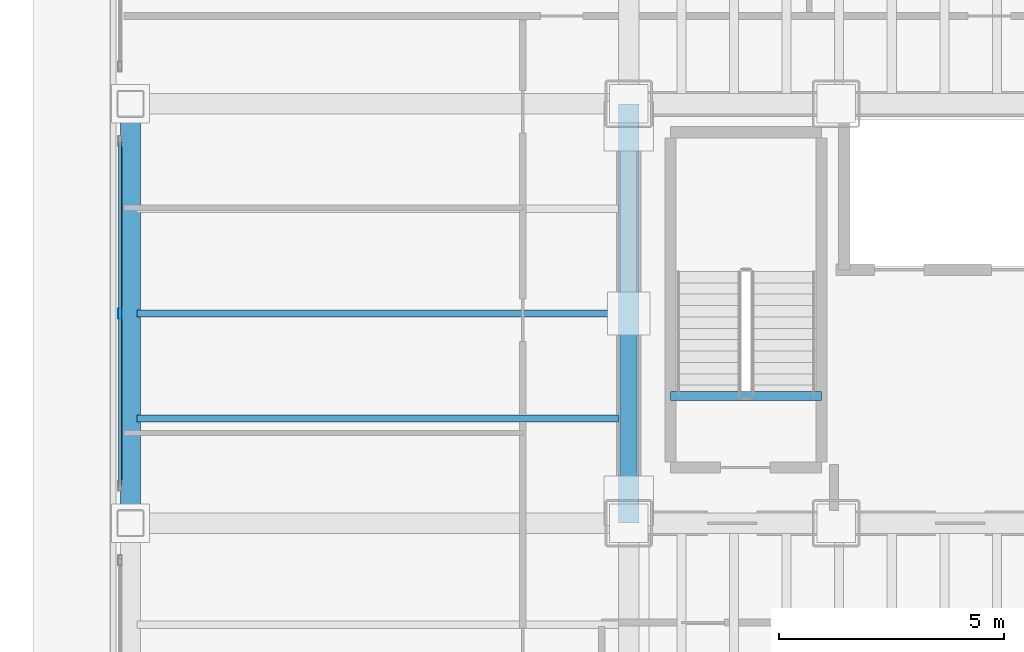
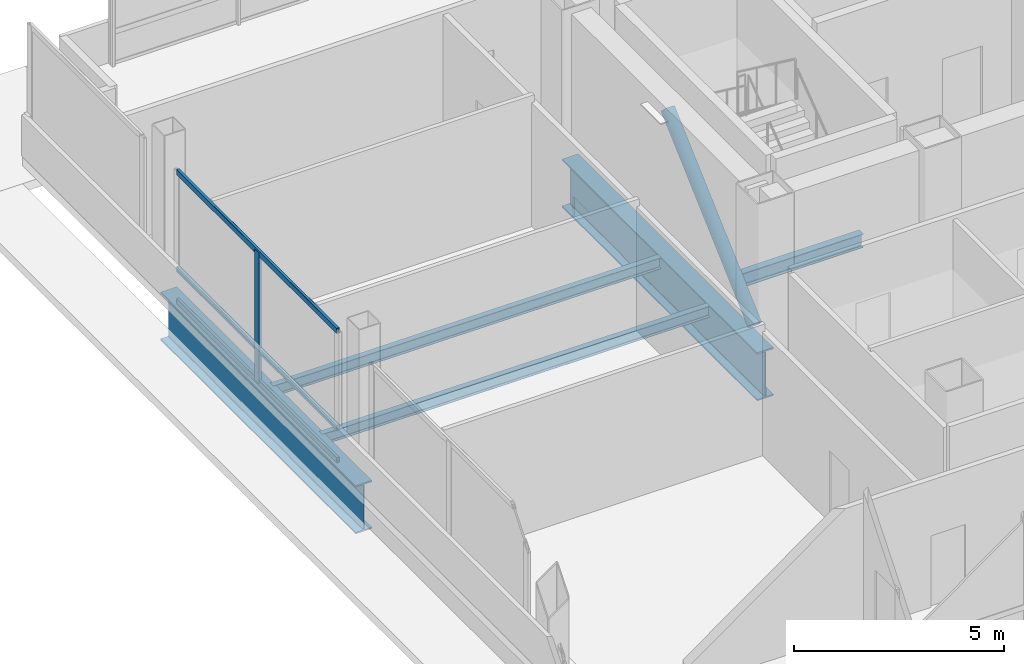
# One storey, part 9 of 34: 5 beams, 5 members, 1 element without a shape of its own.
"""IFC4 building model written with IfcOpenShell, lengths in metres."""

import ifcopenshell
import ifcopenshell.guid

model = None  # the IFC model being written
_history = None  # IfcOwnerHistory: only IFC2X3 demands one
_inside = {}  # id of a spatial element -> (the spatial element, [elements in it])
_under = {}  # id of a project, library or spatial element -> (it, [spatial elements below it])
_declared = {}  # id of a project -> (the project, [libraries it declares])
_typed = {}  # id of a type object -> (the type object, [elements of that type])
_made_of = {}  # id of a material, layer set ... -> (it, [elements and type objects made of it])


def new_model(schema):
    """Start an empty IFC model of exactly this schema.

    Asked for "IFC4X3", IfcOpenShell would pick the latest addendum, in which some entities
    have other attributes; the version numbers below select the first issue.
    IFC2X3 requires an IfcOwnerHistory on every rooted entity: one is made here for all.
    """
    global model, _history
    if schema == "IFC4X3":
        model = ifcopenshell.file(schema_version=(4, 3, 0, 0))
    else:
        model = ifcopenshell.file(schema=schema)
    _inside.clear()
    _under.clear()
    _declared.clear()
    _typed.clear()
    _made_of.clear()
    _history = None
    if model.schema == "IFC2X3":
        org = make("IfcOrganization", Name="unknown")
        user = make(
            "IfcPersonAndOrganization",
            ThePerson=make("IfcPerson", FamilyName="unknown"),
            TheOrganization=org,
        )
        app = make(
            "IfcApplication",
            ApplicationDeveloper=org,
            Version="unknown",
            ApplicationFullName="unknown",
            ApplicationIdentifier="unknown",
        )
        _history = make(
            "IfcOwnerHistory",
            OwningUser=user,
            OwningApplication=app,
            ChangeAction="ADDED",
            CreationDate=0,
        )
    return model


def make(cls, **values):
    """One entity of the class cls with the attributes given. An attribute that is None is left unset."""
    return model.create_entity(
        cls, **{name: value for name, value in values.items() if value is not None}
    )


def rooted(cls, **values):
    """An entity with a GlobalId (a new one), such as an element, a storey or a relation."""
    return make(cls, GlobalId=ifcopenshell.guid.new(), OwnerHistory=_history, **values)


def si_unit(unit_type, name, prefix=None):
    """IfcSIUnit, for example si_unit("LENGTHUNIT", "METRE", prefix="MILLI")."""
    return make("IfcSIUnit", UnitType=unit_type, Prefix=prefix, Name=name)


def assignment(units):
    """IfcUnitAssignment: the units of a project."""
    return None if units is None else make("IfcUnitAssignment", Units=units)


def point(xyz):
    """IfcCartesianPoint."""
    return None if xyz is None else make("IfcCartesianPoint", Coordinates=xyz)


def direction(xyz):
    """IfcDirection."""
    return None if xyz is None else make("IfcDirection", DirectionRatios=xyz)


def frame(location, z_axis=None, x_axis=None):
    """IfcAxis2Placement3D, a coordinate frame: its origin and axes. An axis left out is left unset."""
    return make(
        "IfcAxis2Placement3D",
        Location=point(location),
        Axis=direction(z_axis),
        RefDirection=direction(x_axis),
    )


def frame_2d(location, x_axis=None):
    """IfcAxis2Placement2D, a coordinate frame in the plane: its origin and x axis."""
    return make(
        "IfcAxis2Placement2D", Location=point(location), RefDirection=direction(x_axis)
    )


def origin():
    """The frame at (0, 0, 0) with its axes left unset."""
    return frame((0.0, 0.0, 0.0))


def origin_2d():
    """The frame at (0, 0) in the plane with its x axis left unset."""
    return frame_2d((0.0, 0.0))


def place(relative_to, where):
    """IfcLocalPlacement: puts the frame where relative to a parent placement (None: the world)."""
    return make(
        "IfcLocalPlacement", PlacementRelTo=relative_to, RelativePlacement=where
    )


def context(
    kind, dimensions, precision=None, world=None, true_north=None, identifier=None
):
    """IfcGeometricRepresentationContext, for example the 3D "Model" context."""
    return make(
        "IfcGeometricRepresentationContext",
        ContextIdentifier=identifier,
        ContextType=kind,
        CoordinateSpaceDimension=dimensions,
        Precision=precision,
        WorldCoordinateSystem=world,
        TrueNorth=true_north,
    )


def subcontext(parent, identifier, kind, view, scale=None):
    """IfcGeometricRepresentationSubContext, for example "Body" below "Model"."""
    return make(
        "IfcGeometricRepresentationSubContext",
        ContextIdentifier=identifier,
        ContextType=kind,
        ParentContext=parent,
        TargetScale=scale,
        TargetView=view,
    )


def project(units=None, contexts=None):
    """IfcProject with its units and contexts."""
    return rooted(
        "IfcProject",
        Name="project",
        RepresentationContexts=contexts,
        UnitsInContext=assignment(units),
    )


def spatial(cls, under=None, at=None, **own):
    """A site, building, storey or space (cls), placed at a placement, below another one or the project."""
    s = rooted(cls, ObjectPlacement=at, **own)
    if under is not None:
        _under.setdefault(under.id(), (under, []))[1].append(s)
    return s


def profile(cls, at=None, kind="AREA", **sizes):
    """A parametric profile (cls). Its sizes go by their IFC names, for example OverallWidth=200.0."""
    return make(cls, ProfileType=kind, Position=at, **sizes)


def hollow_rectangle(**sizes):
    """IfcRectangleHollowProfileDef."""
    return profile("IfcRectangleHollowProfileDef", **sizes)


def hollow_circle(**sizes):
    """IfcCircleHollowProfileDef."""
    return profile("IfcCircleHollowProfileDef", **sizes)


def i_section(**sizes):
    """IfcIShapeProfileDef."""
    return profile("IfcIShapeProfileDef", **sizes)


def extrude(swept, where, along, depth):
    """IfcExtrudedAreaSolid: the profile swept, set in the frame where, extruded along a direction by depth."""
    return make(
        "IfcExtrudedAreaSolid",
        SweptArea=swept,
        Position=where,
        ExtrudedDirection=direction(along),
        Depth=depth,
    )


def shape(context_of_items, identifier, shape_type, items):
    """IfcShapeRepresentation: the items that make up one representation, for example the "Body"."""
    return make(
        "IfcShapeRepresentation",
        ContextOfItems=context_of_items,
        RepresentationIdentifier=identifier,
        RepresentationType=shape_type,
        Items=items,
    )


def material(Name=None, Category=None):
    """IfcMaterial."""
    return make("IfcMaterial", Name=Name, Category=Category)


def material_profile(
    of_material, cross_section, Name=None, Category=None, Priority=None
):
    """IfcMaterialProfile: a cross section and its material."""
    return make(
        "IfcMaterialProfile",
        Name=Name,
        Material=of_material,
        Profile=cross_section,
        Priority=Priority,
        Category=Category,
    )


def profile_set(profiles, Name=None, composite=None):
    """IfcMaterialProfileSet."""
    return make(
        "IfcMaterialProfileSet",
        Name=Name,
        MaterialProfiles=profiles,
        CompositeProfile=composite,
    )


def made_of(thing, what):
    """Note that an element or type object is made of a material, layer set ...; save() writes the relation."""
    if what is not None:
        _made_of.setdefault(what.id(), (what, []))[1].append(thing)
    return thing


def type_object(cls, material=None, **own):
    """A type object (cls), such as IfcWallType, which elements share."""
    return made_of(rooted(cls, **own), material)


def element(
    cls,
    number,
    at=None,
    inside=None,
    cuts=None,
    type_object=None,
    material=None,
    context=None,
    identifier="Body",
    shape_type=None,
    held_by="IfcProductDefinitionShape",
    body=None,
    shapes=None,
    **own,
):
    """One element of the class cls, such as IfcWall. Its Tag is "e" and its number.

    at: its placement. inside: the storey or other place that contains it. cuts: it is an
    opening in that element (IfcRelVoidsElement). A single representation is given by context,
    identifier, shape_type and body (its items); several are given by shapes. held_by: the class
    of the entity that holds the representations. save() writes the other relations.
    """
    e = rooted(cls, Tag="e%d" % number, ObjectPlacement=at, **own)
    if body is not None:
        shapes = [shape(context, identifier, shape_type, body)]
    if shapes is not None:
        e.Representation = make(held_by, Representations=shapes)
    if inside is not None:
        _inside.setdefault(inside.id(), (inside, []))[1].append(e)
    if cuts is not None:
        rooted(
            "IfcRelVoidsElement", RelatingBuildingElement=cuts, RelatedOpeningElement=e
        )
    if type_object is not None:
        _typed.setdefault(type_object.id(), (type_object, []))[1].append(e)
    return made_of(e, material)


def aggregate(whole, parts):
    """IfcRelAggregates: a whole, such as a stair, and the parts it consists of."""
    return rooted("IfcRelAggregates", RelatingObject=whole, RelatedObjects=parts)


def save(model, path):
    """Write the relations noted so far, then the file.

    IfcRelAggregates (storeys below a building ...), IfcRelContainedInSpatialStructure (elements
    in a storey), IfcRelDefinesByType, IfcRelAssociatesMaterial and IfcRelDeclares: one each for
    every whole, place, type object, material and project.
    """
    for whole, parts in _under.values():
        aggregate(whole, parts)
    for where, things in _inside.values():
        rooted(
            "IfcRelContainedInSpatialStructure",
            RelatedElements=things,
            RelatingStructure=where,
        )
    for kind, things in _typed.values():
        rooted("IfcRelDefinesByType", RelatedObjects=things, RelatingType=kind)
    for what, things in _made_of.values():
        rooted("IfcRelAssociatesMaterial", RelatedObjects=things, RelatingMaterial=what)
    for by, libraries in _declared.values():
        rooted("IfcRelDeclares", RelatingContext=by, RelatedDefinitions=libraries)
    model.write(path)


model = new_model("IFC4")

# Units and contexts
model_context = context("Model", 3, precision=1e-05, world=origin(), true_north=direction((0.0, 1.0)))
body_context = subcontext(model_context, "Body", "Model", "MODEL_VIEW")
ifc_project = project(units=[si_unit("LENGTHUNIT", "METRE"), si_unit("AREAUNIT", "SQUARE_METRE"), si_unit("VOLUMEUNIT", "CUBIC_METRE"), si_unit("PLANEANGLEUNIT", "RADIAN"), si_unit("MASSUNIT", "GRAM", prefix="KILO")], contexts=[model_context])

# Site, building, storey
site_placement = place(None, origin())
site = spatial("IfcSite", under=ifc_project, at=site_placement, CompositionType="ELEMENT")
building_placement = place(site_placement, origin())
building = spatial("IfcBuilding", under=site, at=building_placement, Name="Noeulbin Bourse Tower", CompositionType="ELEMENT")
storey_placement = place(building_placement, frame((0.0, 0.0, 22.0)))
storey = spatial("IfcBuildingStorey", under=building, at=storey_placement, Name="L05", CompositionType="ELEMENT", Elevation=22.0)

# Beams
ifc_material_1 = material(Name="Steel S355", Category="steel")
ifc_material_profile_1 = material_profile(ifc_material_1, i_section(OverallWidth=0.159912109375, OverallDepth=0.320068359375, WebThickness=0.006591796875, FlangeThickness=0.010009765625, FilletRadius=0.012939453125, at=origin_2d()), Name="H-320x160x6.5x10", Category="LoadBearing")
ifc_profile_set_1 = profile_set([ifc_material_profile_1], Name="Steel S355")
beam_type_1 = type_object("IfcBeamType", Name="BM-JST-320", PredefinedType="JOIST", material=ifc_profile_set_1)
for number, where, z_axis, x_axis, name in (
    (1, (2.60009765625, 31.324951171875, -0.39990234375), (1.0, 0.0, 0.0), (0.0, 1.0, 0.0), "Wing Composite Joist L05-W73"),
    (2, (2.60009765625, 33.64990234375, -0.39990234375), (1.0, 0.0, 0.0), (0.0, 1.0, 0.0), "Wing Composite Joist L05-W74"),
):
    element("IfcBeam", number, at=place(storey_placement, frame(where, z_axis=z_axis, x_axis=x_axis)), inside=storey, type_object=beam_type_1, Name=name, PredefinedType="JOIST", context=body_context, shape_type="SweptSolid", body=[
        extrude(i_section(OverallWidth=0.159912109375, OverallDepth=0.320068359375, WebThickness=0.006591796875, FlangeThickness=0.010009765625, FilletRadius=0.012939453125, at=origin_2d()), origin(), (0.0, 0.0, 1.0), 10.6748046875),
    ])
ifc_material_profile_2 = material_profile(ifc_material_1, i_section(OverallWidth=0.199951171875, OverallDepth=0.39990234375, WebThickness=0.008056640625, FlangeThickness=0.012939453125, FilletRadius=0.01611328125, at=origin_2d()), Name="H-400x200x8x13", Category="LoadBearing")
ifc_profile_set_2 = profile_set([ifc_material_profile_2], Name="Steel S355")
beam_type_2 = type_object("IfcBeamType", Name="BM-SEC-400", PredefinedType="BEAM", material=ifc_profile_set_2)
beam_placement = place(storey_placement, frame((14.429931640625, 31.820068359375, -0.199951171875), z_axis=(1.0, 0.0, 0.0), x_axis=(0.0, 1.0, 0.0)))
element("IfcBeam", 3, at=beam_placement, inside=storey, type_object=beam_type_2, Name="Stair Threshold Trimmer Beam ST1-L05", PredefinedType="BEAM", context=body_context, shape_type="SweptSolid", body=[
    extrude(i_section(OverallWidth=0.199951171875, OverallDepth=0.39990234375, WebThickness=0.008056640625, FlangeThickness=0.012939453125, FilletRadius=0.01611328125, at=origin_2d()), origin(), (0.0, 0.0, 1.0), 3.340087890625),
])
ifc_material_2 = material(Name="Steel S460", Category="steel")
ifc_material_profile_3 = material_profile(ifc_material_2, i_section(OverallWidth=0.449951171875, OverallDepth=1.39990234375, WebThickness=0.02392578125, FlangeThickness=0.0400390625, FilletRadius=0.02392578125, at=origin_2d()), Name="PG-1400x450x24x40", Category="LoadBearing")
ifc_profile_set_3 = profile_set([ifc_material_profile_3], Name="Steel S460")
beam_type_3 = type_object("IfcBeamType", Name="BM-TRF-1400", PredefinedType="USERDEFINED", material=ifc_profile_set_3)
for number, where, z_axis, x_axis, name in (
    (4, (13.5, 29.0, -0.93994140625), (0.0, 1.0, 0.0), (-1.0, 0.0, 0.0), "Tower Primary Girder NS L05-1.3"),
    (5, (2.449951171875, 29.0, -0.93994140625), (0.0, 1.0, 0.0), (-1.0, 0.0, 0.0), "West Spandrel L05-2"),
):
    element("IfcBeam", number, at=place(storey_placement, frame(where, z_axis=z_axis, x_axis=x_axis)), inside=storey, type_object=beam_type_3, Name=name, ObjectType="GIRDER", PredefinedType="USERDEFINED", context=body_context, shape_type="SweptSolid", body=[
        extrude(i_section(OverallWidth=0.449951171875, OverallDepth=1.39990234375, WebThickness=0.02392578125, FlangeThickness=0.0400390625, FilletRadius=0.02392578125, at=origin_2d()), origin(), (0.0, 0.0, 1.0), 9.300048828125),
    ])

# Curtain wall, members
ifc_material_3 = material(Name="Dark Solar-Control Double Glazing", Category="glass")
curtain_wall_type = type_object("IfcCurtainWallType", Name="CW-SYS-2", PredefinedType="NOTDEFINED", material=ifc_material_3)
curtain_wall_placement = place(storey_placement, origin())
curtain_wall = element("IfcCurtainWall", 6, at=curtain_wall_placement, inside=storey, type_object=curtain_wall_type, Name="Unitised Curtain Wall CW-L05-W-S3", PredefinedType="NOTDEFINED")
ifc_material_4 = material(Name="Anodised Aluminium 6063-T6", Category="aluminium")
ifc_material_profile_4 = material_profile(ifc_material_4, hollow_rectangle(XDim=0.074951171875, YDim=0.219970703125, WallThickness=0.0048828125, InnerFilletRadius=0.00244140625, OuterFilletRadius=0.0048828125, at=origin_2d()), Name="ALU-MULL-75x220x5", Category="LoadBearing")
ifc_profile_set_4 = profile_set([ifc_material_profile_4], Name="Anodised Aluminium 6063-T6")
member_type_1 = type_object("IfcMemberType", Name="CW-SYS-2-MUL", PredefinedType="MULLION", material=ifc_profile_set_4)
member_1_placement = place(storey_placement, frame((2.219970703125, 33.64990234375, -0.02001953125), z_axis=(0.0, 0.0, 1.0), x_axis=(1.0, 0.0, 0.0)))
member_1 = element("IfcMember", 7, at=member_1_placement, type_object=member_type_1, Name="Curtain Wall Mullion CW-L05-W-S3-M01", PredefinedType="MULLION", context=body_context, shape_type="SweptSolid", body=[
    extrude(hollow_rectangle(XDim=0.074951171875, YDim=0.219970703125, WallThickness=0.0048828125, InnerFilletRadius=0.00244140625, OuterFilletRadius=0.0048828125, at=origin_2d()), origin(), (0.0, 0.0, 1.0), 3.820068359375),
])
ifc_material_profile_5 = material_profile(ifc_material_4, hollow_rectangle(XDim=0.074951171875, YDim=0.159912109375, WallThickness=0.0048828125, InnerFilletRadius=0.00244140625, OuterFilletRadius=0.0048828125, at=origin_2d()), Name="ALU-TRAN-75x160x5", Category="LoadBearing")
ifc_profile_set_5 = profile_set([ifc_material_profile_5], Name="Anodised Aluminium 6063-T6")
member_type_2 = type_object("IfcMemberType", Name="CW-SYS-2-TRN", PredefinedType="USERDEFINED", material=ifc_profile_set_5)
member_2_placement = place(storey_placement, frame((2.219970703125, 29.8349609375, 0.010009765625), z_axis=(0.0, 1.0, 0.0), x_axis=(-1.0, 0.0, 0.0)))
member_2 = element("IfcMember", 8, at=member_2_placement, type_object=member_type_2, Name="Curtain Wall Transom CW-L05-W-S3-T00", ObjectType="TRANSOM", PredefinedType="USERDEFINED", context=body_context, shape_type="SweptSolid", body=[
    extrude(hollow_rectangle(XDim=0.074951171875, YDim=0.159912109375, WallThickness=0.0048828125, InnerFilletRadius=0.00244140625, OuterFilletRadius=0.0048828125, at=origin_2d()), origin(), (0.0, 0.0, 1.0), 7.630126953125),
])
member_3_placement = place(storey_placement, frame((2.219970703125, 29.8349609375, 0.949951171875), z_axis=(0.0, 1.0, 0.0), x_axis=(-1.0, 0.0, 0.0)))
member_3 = element("IfcMember", 9, at=member_3_placement, type_object=member_type_2, Name="Curtain Wall Transom CW-L05-W-S3-T01", ObjectType="TRANSOM", PredefinedType="USERDEFINED", context=body_context, shape_type="SweptSolid", body=[
    extrude(hollow_rectangle(XDim=0.074951171875, YDim=0.159912109375, WallThickness=0.0048828125, InnerFilletRadius=0.00244140625, OuterFilletRadius=0.0048828125, at=origin_2d()), origin(), (0.0, 0.0, 1.0), 7.630126953125),
])
member_4_placement = place(storey_placement, frame((2.219970703125, 29.8349609375, 3.77001953125), z_axis=(0.0, 1.0, 0.0), x_axis=(-1.0, 0.0, 0.0)))
member_4 = element("IfcMember", 10, at=member_4_placement, type_object=member_type_2, Name="Curtain Wall Transom CW-L05-W-S3-T02", ObjectType="TRANSOM", PredefinedType="USERDEFINED", context=body_context, shape_type="SweptSolid", body=[
    extrude(hollow_rectangle(XDim=0.074951171875, YDim=0.159912109375, WallThickness=0.0048828125, InnerFilletRadius=0.00244140625, OuterFilletRadius=0.0048828125, at=origin_2d()), origin(), (0.0, 0.0, 1.0), 7.630126953125),
])
aggregate(curtain_wall, [member_1, member_2, member_3, member_4])

# Member
ifc_material_profile_6 = material_profile(ifc_material_1, hollow_circle(Radius=0.177734375, WallThickness=0.0126953125, at=origin_2d()), Name="CHS-355.6x12.7", Category="LoadBearing")
ifc_profile_set_6 = profile_set([ifc_material_profile_6], Name="Steel S355")
member_type_3 = type_object("IfcMemberType", Name="MEM-EXO-356", PredefinedType="BRACE", material=ifc_profile_set_6)
member_5_placement = place(storey_placement, frame((13.5, 29.5, 0.199951171875), z_axis=(0.0, 0.740172530222, 0.672417002688), x_axis=(-1.0, 0.0, 0.0)))
element("IfcMember", 11, at=member_5_placement, inside=storey, type_object=member_type_3, Name="Core Flank Chevron Brace XT-L05-W1", PredefinedType="BRACE", context=body_context, shape_type="SweptSolid", body=[
    extrude(hollow_circle(Radius=0.177734375, WallThickness=0.0126953125, at=origin_2d()), origin(), (0.0, 0.0, 1.0), 5.606689453125),
])

save(model, "model.ifc")
